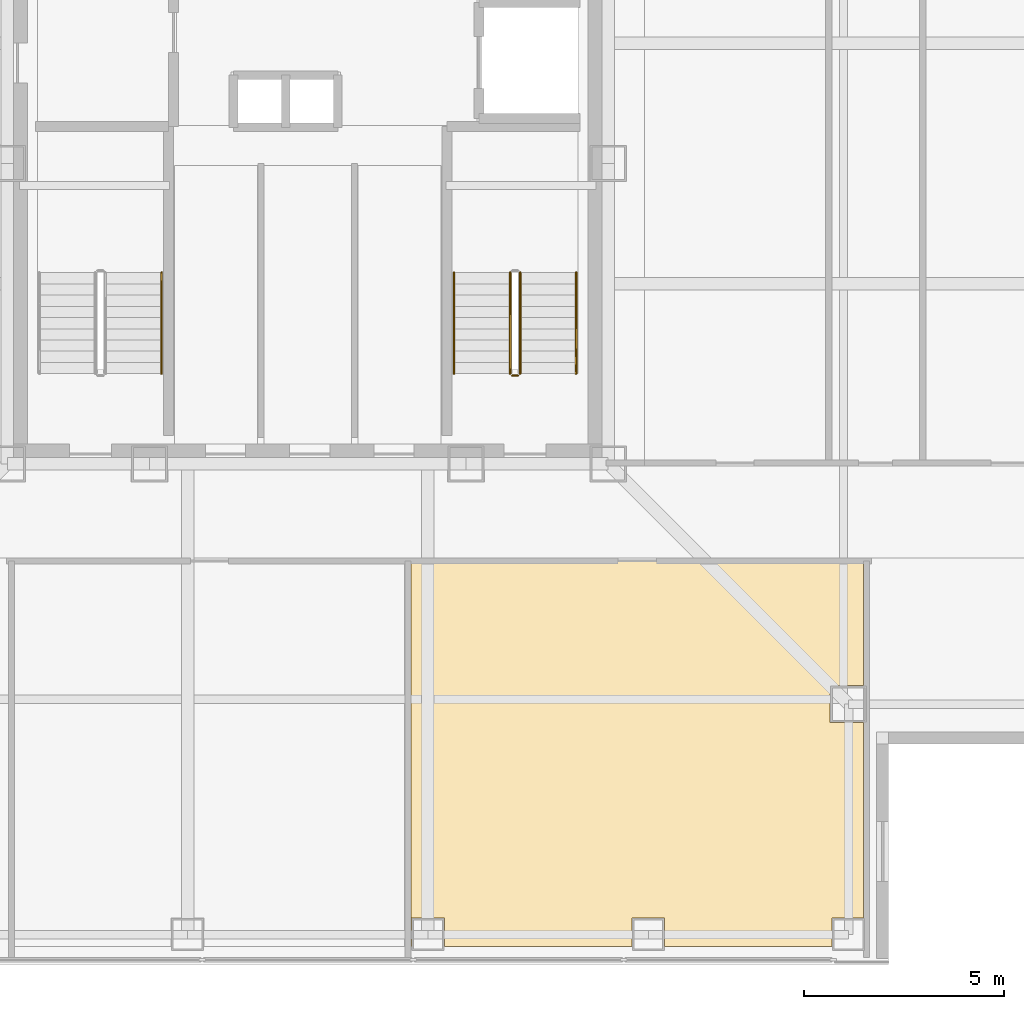
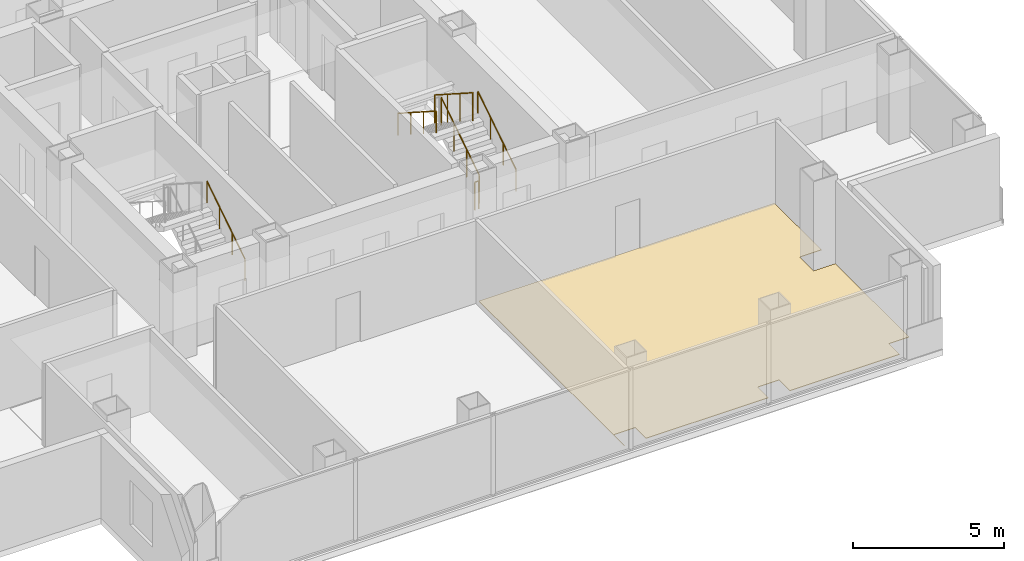
# One storey, part 14 of 18: 6 railings, 1 covering.
"""IFC4 building model written with IfcOpenShell, lengths in metres."""

from ifc_helpers import new_model, si_unit, direction, frame, origin, origin_2d, place, context, subcontext, project, spatial, polyline, circle, outline, extrude, material, layer, layer_set, type_object, element, save


model = new_model("IFC4")

# Units and contexts
model_context = context("Model", 3, precision=1e-05, world=origin(), true_north=direction((0.0, 1.0)))
body_context = subcontext(model_context, "Body", "Model", "MODEL_VIEW")
ifc_project = project(units=[si_unit("LENGTHUNIT", "METRE"), si_unit("AREAUNIT", "SQUARE_METRE"), si_unit("VOLUMEUNIT", "CUBIC_METRE"), si_unit("PLANEANGLEUNIT", "RADIAN"), si_unit("MASSUNIT", "GRAM", prefix="KILO")], contexts=[model_context])

# Site, building, storey
site_placement = place(None, origin())
site = spatial("IfcSite", under=ifc_project, at=site_placement, CompositionType="ELEMENT")
building_placement = place(site_placement, origin())
building = spatial("IfcBuilding", under=site, at=building_placement, Name="Trevonay Congress Spire", CompositionType="ELEMENT")
storey_placement = place(building_placement, frame((0.0, 0.0, 220.199951171875)))
storey = spatial("IfcBuildingStorey", under=building, at=storey_placement, Name="L57", CompositionType="ELEMENT", Elevation=220.199951171875)

# Covering
ifc_material_1 = material(Name="Polished Granite Floor Tile", Category="masonry")
ifc_layer = layer(ifc_material_1, 0.02001953125, Name="Polished Granite Floor Tile")
ifc_layer_set = layer_set([ifc_layer], Name="Polished Granite Floor Tile")
covering_type = type_object("IfcCoveringType", Name="COV-FLOOR-STONE", PredefinedType="FLOORING", material=ifc_layer_set)
covering_placement = place(storey_placement, origin())
element("IfcCovering", 1, at=covering_placement, inside=storey, type_object=covering_type, Name="L57 Export Craft Boutique Shop floor finish", PredefinedType="FLOORING", context=body_context, shape_type="SweptSolid", body=[
    extrude(outline(polyline([(2.580078125, -19.550048828125), (2.580078125, -9.929931640625), (13.8701171875, -9.929931640625), (13.8701171875, -13.0400390625), (13.0400390625, -13.0400390625), (13.0400390625, -13.9599609375), (13.8701171875, -13.9599609375), (13.8701171875, -18.840087890625), (13.090087890625, -18.840087890625), (13.090087890625, -19.550048828125), (8.909912109375, -19.550048828125), (8.909912109375, -18.840087890625), (8.090087890625, -18.840087890625), (8.090087890625, -19.550048828125), (3.409912109375, -19.550048828125), (3.409912109375, -18.840087890625), (2.590087890625, -18.840087890625), (2.590087890625, -19.550048828125), (2.580078125, -19.550048828125)])), origin(), (0.0, 0.0, 1.0), 0.02001953125),
])

# Railings
ifc_material_2 = material(Name="Pale Anodised Aluminium EN AW-6063-T6", Category="aluminium")
railing_type_1 = type_object("IfcRailingType", Name="RAL-STAIR-GUARD-110", PredefinedType="GUARDRAIL", material=ifc_material_2)
railing_1_placement = place(storey_placement, frame((5.300048828125, -5.25, 0.179931640625)))
element("IfcRailing", 2, at=railing_1_placement, inside=storey, type_object=railing_type_1, Name="L57 ST-2 stair guard 1", PredefinedType="GUARDRAIL", context=body_context, shape_type="SweptSolid", body=[
    extrude(circle(Radius=0.02392578125, at=origin_2d()), frame((0.0, 0.0, 1.1259765625), z_axis=(0.0, 0.841162588446, 0.540782303519), x_axis=(-1.0, 0.0, 0.0)), (0.0, 0.0, 1.0), 2.995849609375),
    extrude(circle(Radius=0.02099609375, at=origin_2d()), origin(), (0.0, 0.0, 1.0), 1.101806640625),
    extrude(circle(Radius=0.02099609375, at=origin_2d()), frame((0.0, 0.840087890625, 0.5400390625)), (0.0, 0.0, 1.0), 1.101806640625),
    extrude(circle(Radius=0.02099609375, at=origin_2d()), frame((0.0, 1.679931640625, 1.080078125)), (0.0, 0.0, 1.0), 1.101806640625),
    extrude(circle(Radius=0.02099609375, at=origin_2d()), frame((0.0, 2.52001953125, 1.6201171875)), (0.0, 0.0, 1.0), 1.101806640625),
])
railing_2_placement = place(storey_placement, frame((5.050048828125, -2.72998046875, 1.97998046875)))
element("IfcRailing", 3, at=railing_2_placement, inside=storey, type_object=railing_type_1, Name="L57 ST-2 stair guard 3", PredefinedType="GUARDRAIL", context=body_context, shape_type="SweptSolid", body=[
    extrude(circle(Radius=0.02392578125, at=origin_2d()), frame((0.0, 0.0, 1.1259765625), z_axis=(0.0, -0.841162588446, 0.540782303519), x_axis=(1.0, 0.0, 0.0)), (0.0, 0.0, 1.0), 2.995849609375),
    extrude(circle(Radius=0.02099609375, at=origin_2d()), origin(), (0.0, 0.0, 1.0), 1.101806640625),
    extrude(circle(Radius=0.02099609375, at=origin_2d()), frame((0.0, -0.840087890625, 0.5400390625)), (0.0, 0.0, 1.0), 1.101806640625),
    extrude(circle(Radius=0.02099609375, at=origin_2d()), frame((0.0, -1.679931640625, 1.080078125)), (0.0, 0.0, 1.0), 1.101806640625),
    extrude(circle(Radius=0.02099609375, at=origin_2d()), frame((0.0, -2.52001953125, 1.6201171875)), (0.0, 0.0, 1.0), 1.101806640625),
])
railing_3_placement = place(storey_placement, frame((5.25, -5.300048828125, 0.0)))
element("IfcRailing", 4, at=railing_3_placement, inside=storey, type_object=railing_type_1, Name="L57 ST-2 stair guard 4", PredefinedType="GUARDRAIL", context=body_context, shape_type="SweptSolid", body=[
    extrude(circle(Radius=0.02392578125, at=origin_2d()), frame((0.0, 0.0, 1.1259765625), z_axis=(-1.0, 0.0, 0.0), x_axis=(0.0, -1.0, 0.0)), (0.0, 0.0, 1.0), 0.14990234375),
    extrude(circle(Radius=0.02099609375, at=origin_2d()), origin(), (0.0, 0.0, 1.0), 1.101806640625),
    extrude(circle(Radius=0.02099609375, at=origin_2d()), frame((-0.14990234375, 0.0, 0.0)), (0.0, 0.0, 1.0), 1.101806640625),
])
railing_type_2 = type_object("IfcRailingType", Name="RAL-STAIR-HANDRAIL", PredefinedType="HANDRAIL", material=ifc_material_2)
for number, where, name in (
    (5, (-3.64990234375, -5.25, 0.179931640625), "L57 ST-1 stair handrail 1"),
    (6, (6.699951171875, -5.25, 0.179931640625), "L57 ST-2 stair handrail 1"),
):
    element("IfcRailing", number, at=place(storey_placement, frame(where)), inside=storey, type_object=railing_type_2, Name=name, PredefinedType="HANDRAIL", context=body_context, shape_type="SweptSolid", body=[
        extrude(circle(Radius=0.02392578125, at=origin_2d()), frame((0.0, 0.0, 0.8759765625), z_axis=(0.0, 0.841162588446, 0.540782303519), x_axis=(-1.0, 0.0, 0.0)), (0.0, 0.0, 1.0), 2.995849609375),
        extrude(circle(Radius=0.02099609375, at=origin_2d()), origin(), (0.0, 0.0, 1.0), 0.851806640625),
        extrude(circle(Radius=0.02099609375, at=origin_2d()), frame((0.0, 0.840087890625, 0.5400390625)), (0.0, 0.0, 1.0), 0.851806640625),
        extrude(circle(Radius=0.02099609375, at=origin_2d()), frame((0.0, 1.679931640625, 1.080078125)), (0.0, 0.0, 1.0), 0.851806640625),
        extrude(circle(Radius=0.02099609375, at=origin_2d()), frame((0.0, 2.52001953125, 1.6201171875)), (0.0, 0.0, 1.0), 0.851806640625),
    ])
railing_4_placement = place(storey_placement, frame((3.64990234375, -2.72998046875, 1.97998046875)))
element("IfcRailing", 7, at=railing_4_placement, inside=storey, type_object=railing_type_2, Name="L57 ST-2 stair handrail 2", PredefinedType="HANDRAIL", context=body_context, shape_type="SweptSolid", body=[
    extrude(circle(Radius=0.02392578125, at=origin_2d()), frame((0.0, 0.0, 0.8759765625), z_axis=(0.0, -0.841162588446, 0.540782303519), x_axis=(1.0, 0.0, 0.0)), (0.0, 0.0, 1.0), 2.995849609375),
    extrude(circle(Radius=0.02099609375, at=origin_2d()), origin(), (0.0, 0.0, 1.0), 0.851806640625),
    extrude(circle(Radius=0.02099609375, at=origin_2d()), frame((0.0, -0.840087890625, 0.5400390625)), (0.0, 0.0, 1.0), 0.851806640625),
    extrude(circle(Radius=0.02099609375, at=origin_2d()), frame((0.0, -1.679931640625, 1.080078125)), (0.0, 0.0, 1.0), 0.851806640625),
    extrude(circle(Radius=0.02099609375, at=origin_2d()), frame((0.0, -2.52001953125, 1.6201171875)), (0.0, 0.0, 1.0), 0.851806640625),
])

save(model, "model.ifc")
